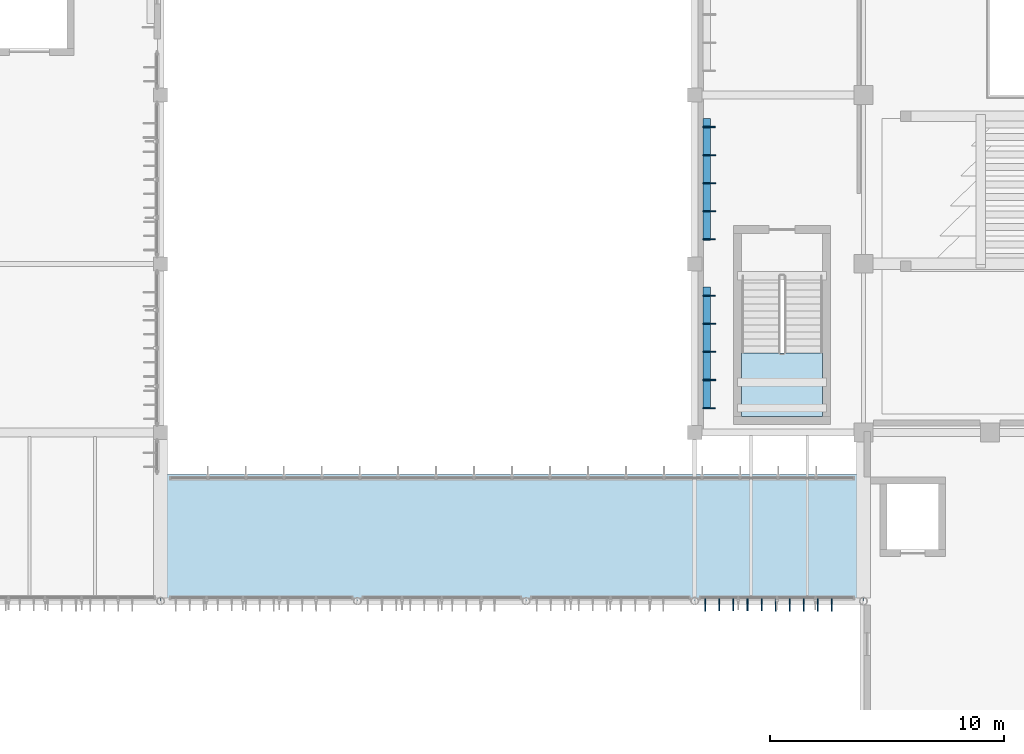
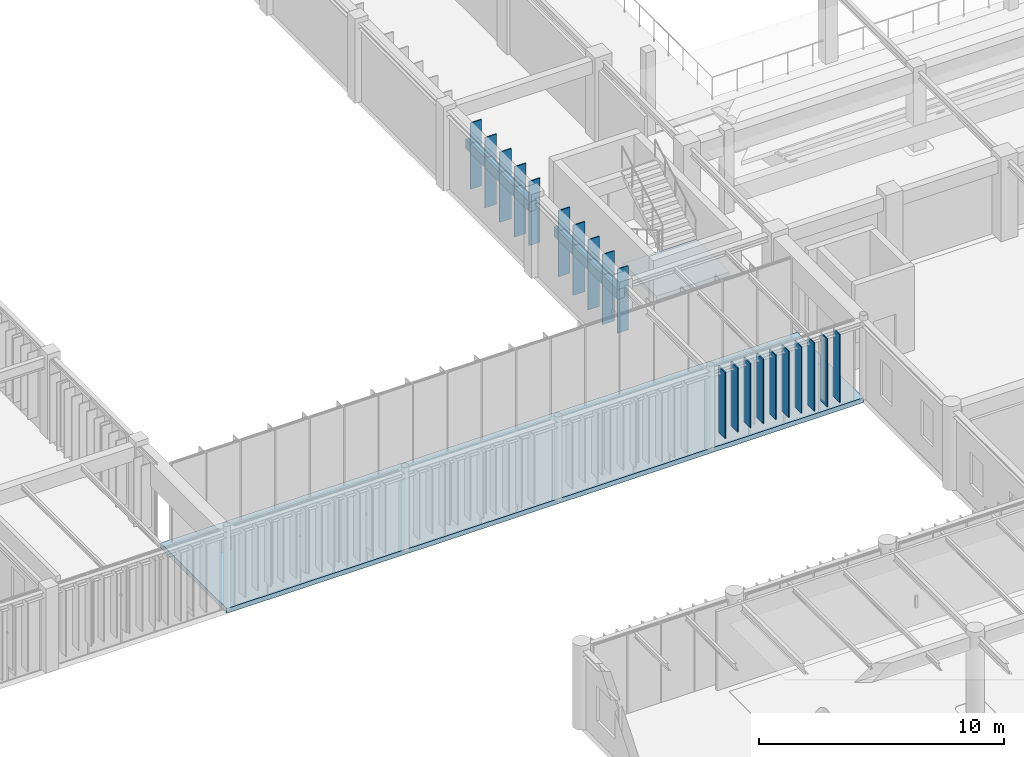
# One storey, part 19 of 122: 22 plates, 2 slabs, 1 element without a shape of its own.
"""IFC4 building model written with IfcOpenShell, lengths in metres."""

from ifc_helpers import new_model, si_unit, direction, frame, origin, origin_2d, place, context, subcontext, project, spatial, polyline, rectangle, outline, extrude, material, layer, layer_set, type_object, element, aggregate, save


model = new_model("IFC4")

# Units and contexts
model_context = context("Model", 3, precision=1e-05, world=origin(), true_north=direction((0.0, 1.0)))
body_context = subcontext(model_context, "Body", "Model", "MODEL_VIEW")
ifc_project = project(units=[si_unit("LENGTHUNIT", "METRE"), si_unit("AREAUNIT", "SQUARE_METRE"), si_unit("VOLUMEUNIT", "CUBIC_METRE"), si_unit("PLANEANGLEUNIT", "RADIAN"), si_unit("MASSUNIT", "GRAM", prefix="KILO")], contexts=[model_context])

# Site, building, storey
site_placement = place(None, origin())
site = spatial("IfcSite", under=ifc_project, at=site_placement, CompositionType="ELEMENT")
building_placement = place(site_placement, origin())
building = spatial("IfcBuilding", under=site, at=building_placement, Name="Tazoul Stagehouse", CompositionType="ELEMENT")
storey_placement = place(building_placement, frame((0.0, 0.0, 4.800048828125)))
storey = spatial("IfcBuildingStorey", under=building, at=storey_placement, Name="L01", CompositionType="ELEMENT", Elevation=4.800048828125)

# Stair, slab
ifc_material_1 = material(Name="Concrete C40/50", Category="concrete")
stair_type = type_object("IfcStairType", Name="Protected Core Dogleg Stair 4200", PredefinedType="HALF_TURN_STAIR", material=ifc_material_1)
stair_placement = place(storey_placement, origin())
stair = element("IfcStair", 1, at=stair_placement, inside=storey, type_object=stair_type, Name="L01 Core Escape Stair ST-05", PredefinedType="HALF_TURN_STAIR")
ifc_layer_1 = layer(ifc_material_1, 0.179931640625, Name="Concrete C40/50")
ifc_layer_set_1 = layer_set([ifc_layer_1], Name="Concrete C40/50")
slab_type_1 = type_object("IfcSlabType", Name="Core Half-Landing Slab 180", PredefinedType="LANDING", material=ifc_layer_set_1)
slab_1_placement = place(storey_placement, frame((0.0, 0.0, 1.89990234375)))
slab_1 = element("IfcSlab", 2, at=slab_1_placement, type_object=slab_type_1, Name="ST-05 landing 1", PredefinedType="LANDING", context=body_context, shape_type="SweptSolid", body=[
    extrude(outline(polyline([(52.39990234375, 55.18994140625), (52.39990234375, 52.489990234375), (55.85009765625, 52.489990234375), (55.85009765625, 55.18994140625), (52.39990234375, 55.18994140625)])), origin(), (0.0, 0.0, 1.0), 0.199951171875),
])
aggregate(stair, [slab_1])

# Slab
ifc_material_2 = material(Name="Concrete C35/45", Category="concrete")
ifc_layer_2 = layer(ifc_material_2, 0.239990234375, Name="Concrete C35/45")
ifc_layer_set_2 = layer_set([ifc_layer_2], Name="Concrete C35/45")
slab_type_2 = type_object("IfcSlabType", Name="Court Bridge Slab 240", PredefinedType="FLOOR", material=ifc_layer_set_2)
slab_2_placement = place(storey_placement, frame((0.0, 0.0, -0.239990234375)))
element("IfcSlab", 3, at=slab_2_placement, inside=storey, type_object=slab_type_2, Name="L01 Court Bridge Slab 240 (V6)", PredefinedType="FLOOR", context=body_context, shape_type="SweptSolid", body=[
    extrude(outline(polyline([(27.60009765625, 44.60009765625), (27.60009765625, 50.0), (57.60009765625, 50.0), (57.60009765625, 44.60009765625), (27.60009765625, 44.60009765625)])), origin(), (0.0, 0.0, 1.0), 0.239990234375),
])

# Plates
ifc_material_3 = material(Name="Anodised Bronze Aluminium 6063-T6", Category="aluminium")
ifc_layer_3 = layer(ifc_material_3, 0.52001953125, Name="Anodised Bronze Aluminium 6063-T6")
ifc_layer_set_3 = layer_set([ifc_layer_3], Name="Anodised Bronze Aluminium 6063-T6")
plate_type_1 = type_object("IfcPlateType", Name="Parametric Terracotta-Bronze Solar Fin 520x3200", PredefinedType="USERDEFINED", material=ifc_layer_set_3)
for number, where, z_axis, x_axis, name in (
    (4, (51.451904296875, 44.449951171875, 0.68994140625), (0.0, 0.0, 1.0), (1.0, 0.0, 0.0), "L01 Parametric Solar Fin SFN-18 (CW-WLNK-S-L01-B4-02)"),
    (5, (52.052001953125, 44.449951171875, 0.68994140625), (0.0, 0.0, 1.0), (1.0, 0.0, 0.0), "L01 Parametric Solar Fin SFN-18 (CW-WLNK-S-L01-B4-03)"),
    (6, (52.652099609375, 44.449951171875, 0.68994140625), (0.0, 0.0, 1.0), (1.0, 0.0, 0.0), "L01 Parametric Solar Fin SFN-18 (CW-WLNK-S-L01-B4-04)"),
    (7, (53.251953125, 44.449951171875, 0.68994140625), (0.0, 0.0, 1.0), (1.0, 0.0, 0.0), "L01 Parametric Solar Fin SFN-18 (CW-WLNK-S-L01-B4-05)"),
    (8, (51.010009765625, 52.840087890625, 0.6201171875), (0.0, 0.0, 1.0), (0.0, 1.0, 0.0), "L01 Parametric Solar Fin SFN-18 (WALL-V1-W-L01-S1-B1-01)"),
    (9, (51.010009765625, 60.0400390625, 0.6201171875), (0.0, 0.0, 1.0), (0.0, 1.0, 0.0), "L01 Parametric Solar Fin SFN-18 (WALL-V1-W-L01-S1-B2-01)"),
):
    element("IfcPlate", number, at=place(storey_placement, frame(where, z_axis=z_axis, x_axis=x_axis)), inside=storey, type_object=plate_type_1, Name=name, ObjectType="SOLAR FIN", PredefinedType="USERDEFINED", context=body_context, shape_type="SweptSolid", body=[
        extrude(rectangle(XDim=0.044921875, YDim=0.52001953125, at=origin_2d()), origin(), (0.0, 0.0, 1.0), 3.199951171875),
    ])
ifc_layer_4 = layer(ifc_material_3, 0.530029296875, Name="Anodised Bronze Aluminium 6063-T6")
ifc_layer_set_4 = layer_set([ifc_layer_4], Name="Anodised Bronze Aluminium 6063-T6")
plate_type_2 = type_object("IfcPlateType", Name="Parametric Terracotta-Bronze Solar Fin 530x3300", PredefinedType="USERDEFINED", material=ifc_layer_set_4)
for number, where, z_axis, x_axis, name in (
    (10, (50.85205078125, 44.445068359375, 0.58984375), (0.0, 0.0, 1.0), (1.0, 0.0, 0.0), "L01 Parametric Solar Fin SFN-19 (CW-WLNK-S-L01-B4-01)"),
    (11, (53.85205078125, 44.445068359375, 0.58984375), (0.0, 0.0, 1.0), (1.0, 0.0, 0.0), "L01 Parametric Solar Fin SFN-19 (CW-WLNK-S-L01-B4-06)"),
    (12, (54.451904296875, 44.445068359375, 0.58984375), (0.0, 0.0, 1.0), (1.0, 0.0, 0.0), "L01 Parametric Solar Fin SFN-19 (CW-WLNK-S-L01-B4-07)"),
    (13, (51.014892578125, 57.639892578125, 0.52001953125), (0.0, 0.0, 1.0), (0.0, 1.0, 0.0), "L01 Parametric Solar Fin SFN-19 (WALL-V1-W-L01-S1-B1-05)"),
    (14, (51.014892578125, 64.840087890625, 0.52001953125), (0.0, 0.0, 1.0), (0.0, 1.0, 0.0), "L01 Parametric Solar Fin SFN-19 (WALL-V1-W-L01-S1-B2-05)"),
):
    element("IfcPlate", number, at=place(storey_placement, frame(where, z_axis=z_axis, x_axis=x_axis)), inside=storey, type_object=plate_type_2, Name=name, ObjectType="SOLAR FIN", PredefinedType="USERDEFINED", context=body_context, shape_type="SweptSolid", body=[
        extrude(rectangle(XDim=0.044921875, YDim=0.530029296875, at=origin_2d()), origin(), (0.0, 0.0, 1.0), 3.300048828125),
    ])
ifc_layer_5 = layer(ifc_material_3, 0.5400390625, Name="Anodised Bronze Aluminium 6063-T6")
ifc_layer_set_5 = layer_set([ifc_layer_5], Name="Anodised Bronze Aluminium 6063-T6")
plate_type_3 = type_object("IfcPlateType", Name="Parametric Terracotta-Bronze Solar Fin 540x3400", PredefinedType="USERDEFINED", material=ifc_layer_set_5)
for number, where, z_axis, x_axis, name in (
    (15, (55.052001953125, 44.43994140625, 0.489990234375), (0.0, 0.0, 1.0), (1.0, 0.0, 0.0), "L01 Parametric Solar Fin SFN-20 (CW-WLNK-S-L01-B4-08)"),
    (16, (55.652099609375, 44.43994140625, 0.489990234375), (0.0, 0.0, 1.0), (1.0, 0.0, 0.0), "L01 Parametric Solar Fin SFN-20 (CW-WLNK-S-L01-B4-09)"),
    (17, (56.251953125, 44.43994140625, 0.489990234375), (0.0, 0.0, 1.0), (1.0, 0.0, 0.0), "L01 Parametric Solar Fin SFN-20 (CW-WLNK-S-L01-B4-10)"),
):
    element("IfcPlate", number, at=place(storey_placement, frame(where, z_axis=z_axis, x_axis=x_axis)), inside=storey, type_object=plate_type_3, Name=name, ObjectType="SOLAR FIN", PredefinedType="USERDEFINED", context=body_context, shape_type="SweptSolid", body=[
        extrude(rectangle(XDim=0.044921875, YDim=0.5400390625, at=origin_2d()), origin(), (0.0, 0.0, 1.0), 3.39990234375),
    ])
ifc_layer_6 = layer(ifc_material_3, 0.550048828125, Name="Anodised Bronze Aluminium 6063-T6")
ifc_layer_set_6 = layer_set([ifc_layer_6], Name="Anodised Bronze Aluminium 6063-T6")
plate_type_4 = type_object("IfcPlateType", Name="Parametric Terracotta-Bronze Solar Fin 550x3500", PredefinedType="USERDEFINED", material=ifc_layer_set_6)
for number, where, z_axis, x_axis, name in (
    (18, (51.02490234375, 54.0400390625, 0.320068359375), (0.0, 0.0, 1.0), (0.0, 1.0, 0.0), "L01 Parametric Solar Fin SFN-21 (WALL-V1-W-L01-S1-B1-02)"),
    (19, (51.02490234375, 55.239990234375, 0.320068359375), (0.0, 0.0, 1.0), (0.0, 1.0, 0.0), "L01 Parametric Solar Fin SFN-21 (WALL-V1-W-L01-S1-B1-03)"),
    (20, (51.02490234375, 56.43994140625, 0.320068359375), (0.0, 0.0, 1.0), (0.0, 1.0, 0.0), "L01 Parametric Solar Fin SFN-21 (WALL-V1-W-L01-S1-B1-04)"),
    (21, (51.02490234375, 61.239990234375, 0.320068359375), (0.0, 0.0, 1.0), (0.0, 1.0, 0.0), "L01 Parametric Solar Fin SFN-21 (WALL-V1-W-L01-S1-B2-02)"),
    (22, (51.02490234375, 62.43994140625, 0.320068359375), (0.0, 0.0, 1.0), (0.0, 1.0, 0.0), "L01 Parametric Solar Fin SFN-21 (WALL-V1-W-L01-S1-B2-03)"),
    (23, (51.02490234375, 63.639892578125, 0.320068359375), (0.0, 0.0, 1.0), (0.0, 1.0, 0.0), "L01 Parametric Solar Fin SFN-21 (WALL-V1-W-L01-S1-B2-04)"),
):
    element("IfcPlate", number, at=place(storey_placement, frame(where, z_axis=z_axis, x_axis=x_axis)), inside=storey, type_object=plate_type_4, Name=name, ObjectType="SOLAR FIN", PredefinedType="USERDEFINED", context=body_context, shape_type="SweptSolid", body=[
        extrude(rectangle(XDim=0.044921875, YDim=0.550048828125, at=origin_2d()), origin(), (0.0, 0.0, 1.0), 3.5),
    ])
ifc_layer_7 = layer(ifc_material_3, 0.320068359375, Name="Anodised Bronze Aluminium 6063-T6")
ifc_layer_set_7 = layer_set([ifc_layer_7], Name="Anodised Bronze Aluminium 6063-T6")
plate_type_5 = type_object("IfcPlateType", Name="Sculpted Facade Spandrel Ribbon 5200x480", PredefinedType="USERDEFINED", material=ifc_layer_set_7)
for number, where, z_axis, x_axis, name in (
    (24, (50.909912109375, 55.39990234375, 2.321044921875), (0.0, 0.0, 1.0), (0.0, 1.0, 0.0), "L01 Sculpted Facade Spandrel Ribbon FRB-07 (WALL-V1-W-L01-S1-B1)"),
    (25, (50.909912109375, 62.60009765625, 2.321044921875), (0.0, 0.0, 1.0), (0.0, 1.0, 0.0), "L01 Sculpted Facade Spandrel Ribbon FRB-07 (WALL-V1-W-L01-S1-B2)"),
):
    element("IfcPlate", number, at=place(storey_placement, frame(where, z_axis=z_axis, x_axis=x_axis)), inside=storey, type_object=plate_type_5, Name=name, ObjectType="FACADE RIBBON", PredefinedType="USERDEFINED", context=body_context, shape_type="SweptSolid", body=[
        extrude(rectangle(XDim=5.199951171875, YDim=0.320068359375, at=origin_2d()), origin(), (0.0, 0.0, 1.0), 0.47998046875),
    ])

save(model, "model.ifc")
